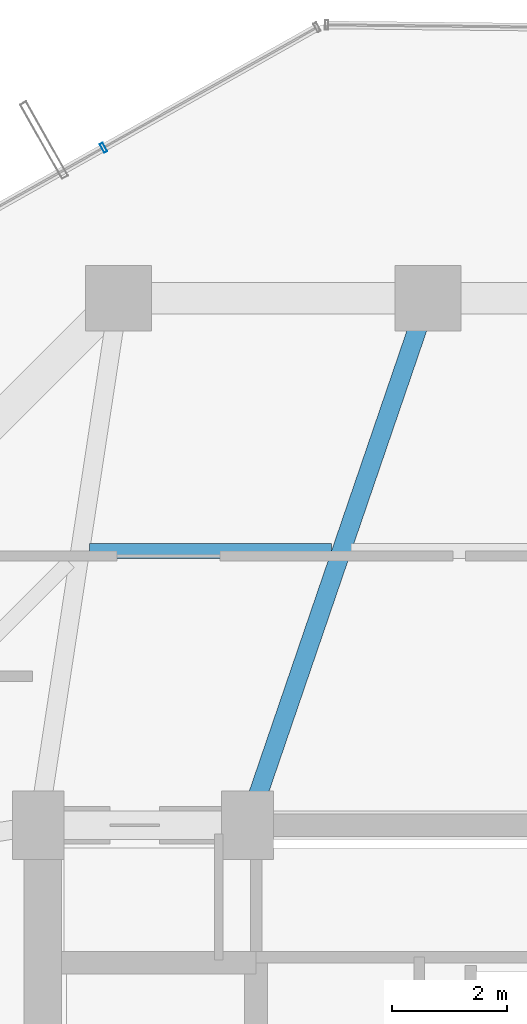
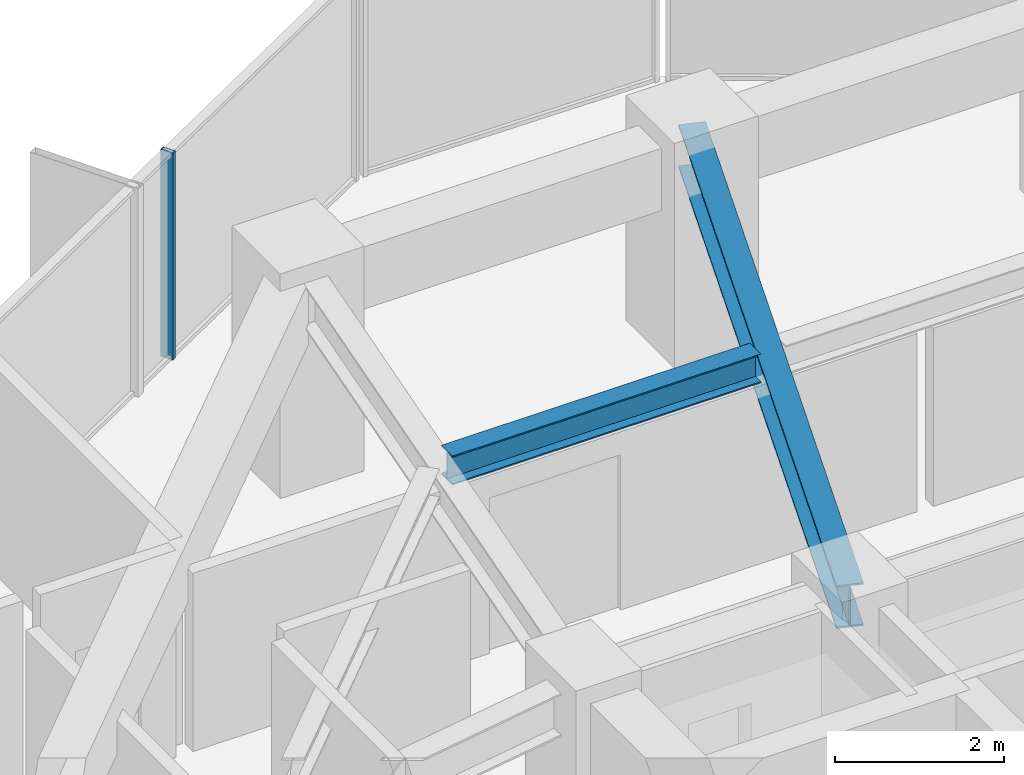
# One storey, part 19 of 30: 2 beams, 1 member, 1 element without a shape of its own.
"""IFC4 building model written with IfcOpenShell, lengths in metres."""

from ifc_helpers import new_model, si_unit, direction, frame, origin, origin_2d, place, context, subcontext, project, spatial, hollow_rectangle, i_section, extrude, source, transform, mapped, material, layer, layer_set, material_profile, profile_set, type_object, element, aggregate, save


model = new_model("IFC4")

# Units and contexts
model_context = context("Model", 3, precision=1e-05, world=origin(), true_north=direction((0.0, 1.0)))
body_context = subcontext(model_context, "Body", "Model", "MODEL_VIEW")
ifc_project = project(units=[si_unit("LENGTHUNIT", "METRE"), si_unit("AREAUNIT", "SQUARE_METRE"), si_unit("VOLUMEUNIT", "CUBIC_METRE"), si_unit("PLANEANGLEUNIT", "RADIAN"), si_unit("MASSUNIT", "GRAM", prefix="KILO")], contexts=[model_context])

# Site, building, storey
site_placement = place(None, origin())
site = spatial("IfcSite", under=ifc_project, at=site_placement, CompositionType="ELEMENT")
building_placement = place(site_placement, origin())
building = spatial("IfcBuilding", under=site, at=building_placement, Name="Veraguas Prism Commons", CompositionType="ELEMENT")
storey_placement = place(building_placement, frame((0.0, 0.0, 126.25)))
storey = spatial("IfcBuildingStorey", under=building, at=storey_placement, Name="L35", CompositionType="ELEMENT", Elevation=126.25)

# Beams
ifc_material_1 = material(Name="Steel ASTM A992 Grade 50", Category="steel")
ifc_material_profile_1 = material_profile(ifc_material_1, i_section(OverallWidth=0.260986328125, OverallDepth=0.419921875, WebThickness=0.01171875, FlangeThickness=0.019287109375, at=origin_2d()), Name="W410X114")
ifc_profile_set_1 = profile_set([ifc_material_profile_1], Name="Steel ASTM A992 Grade 50")
beam_type_1 = type_object("IfcBeamType", Name="Lower Floor Joist W410x114", PredefinedType="JOIST", material=ifc_profile_set_1)
beam_1_placement = place(storey_placement, frame((22.31689453125, 35.783935546875, 2.7900390625), z_axis=(-1.0, 0.0, 0.0), x_axis=(0.0, -1.0, 0.0)))
element("IfcBeam", 1, at=beam_1_placement, inside=storey, type_object=beam_type_1, Name="Composite Floor Joist L35-JS05", PredefinedType="JOIST", context=body_context, shape_type="SweptSolid", body=[
    extrude(i_section(OverallWidth=0.260986328125, OverallDepth=0.419921875, WebThickness=0.01171875, FlangeThickness=0.019287109375, at=origin_2d()), origin(), (0.0, 0.0, 1.0), 4.22509765625),
])
ifc_material_profile_2 = material_profile(ifc_material_1, i_section(OverallWidth=0.327880859375, OverallDepth=0.6220703125, WebThickness=0.015380859375, FlangeThickness=0.0244140625, at=origin_2d()), Name="W610X195")
ifc_profile_set_2 = profile_set([ifc_material_profile_2], Name="Steel ASTM A992 Grade 50")
beam_type_2 = type_object("IfcBeamType", Name="Zone 2 Radial Girder W610x195", PredefinedType="BEAM", material=ifc_profile_set_2)
beam_2_placement = place(storey_placement, frame((24.0, 40.199951171875, 2.68896484375), z_axis=(-0.323922482989, -0.946083624747, 0.0), x_axis=(0.946083624747, -0.323922482989, 0.0)))
element("IfcBeam", 2, at=beam_2_placement, inside=storey, type_object=beam_type_2, Name="Radial Floor Girder L35-RD05", PredefinedType="BEAM", context=body_context, shape_type="SweptSolid", body=[
    extrude(i_section(OverallWidth=0.327880859375, OverallDepth=0.6220703125, WebThickness=0.015380859375, FlangeThickness=0.0244140625, at=origin_2d()), origin(), (0.0, 0.0, 1.0), 9.724365234375),
])

# Curtain wall, member
ifc_material_2 = material(Name="Anodised aluminium EN AW-6063 T6", Category="aluminium")
ifc_layer = layer(ifc_material_2, 0.169921875, Name="Unitised Flush Curtain Wall Zone 2", Category="aluminium")
ifc_layer_set = layer_set([ifc_layer], Name="Anodised aluminium EN AW-6063 T6")
curtain_wall_type = type_object("IfcCurtainWallType", Name="Unitised Flush Curtain Wall Zone 2", PredefinedType="NOTDEFINED", material=ifc_layer_set)
curtain_wall_placement = place(storey_placement, origin())
curtain_wall = element("IfcCurtainWall", 3, at=curtain_wall_placement, inside=storey, type_object=curtain_wall_type, Name="Tower Facade Curtain Wall L35-F2", PredefinedType="NOTDEFINED")
ifc_material_profile_3 = material_profile(ifc_material_2, hollow_rectangle(XDim=0.06005859375, YDim=0.169921875, WallThickness=0.00390625, at=origin_2d()), Name="AL60X170X4")
ifc_profile_set_3 = profile_set([ifc_material_profile_3], Name="Anodised aluminium EN AW-6063 T6")
member_type = type_object("IfcMemberType", Name="Curtain Wall Mullion Lower AL 60x170x4", PredefinedType="MULLION", material=ifc_profile_set_3)
shared_shape = source(origin(), body_context, "Body", "SweptSolid", [
    extrude(hollow_rectangle(XDim=0.06005859375, YDim=0.169921875, WallThickness=0.00390625, at=origin_2d()), origin(), (0.0, 0.0, 1.0), 3.0),
])
member_placement = place(storey_placement, frame((18.3369140625, 42.8271484375, 0.0), z_axis=(0.0, 0.0, 1.0), x_axis=(-0.871214667908, -0.490902233059, 0.0)))
member = element("IfcMember", 4, at=member_placement, type_object=member_type, Name="CW-Z2 Mullion 2", PredefinedType="MULLION", context=body_context, shape_type="MappedRepresentation", body=[
    mapped(shared_shape, transform((0.0, 0.0, 0.0), scale=1.0)),
])
aggregate(curtain_wall, [member])

save(model, "model.ifc")
